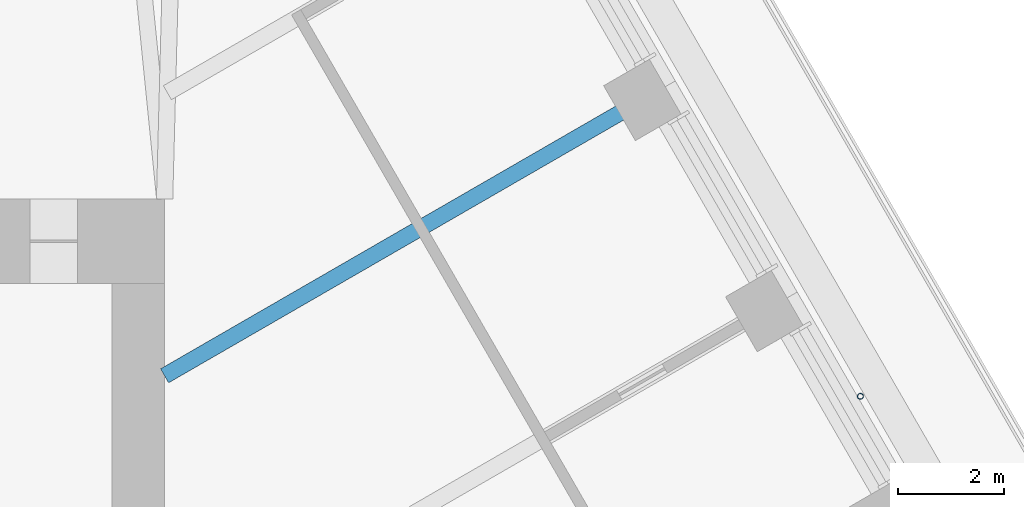
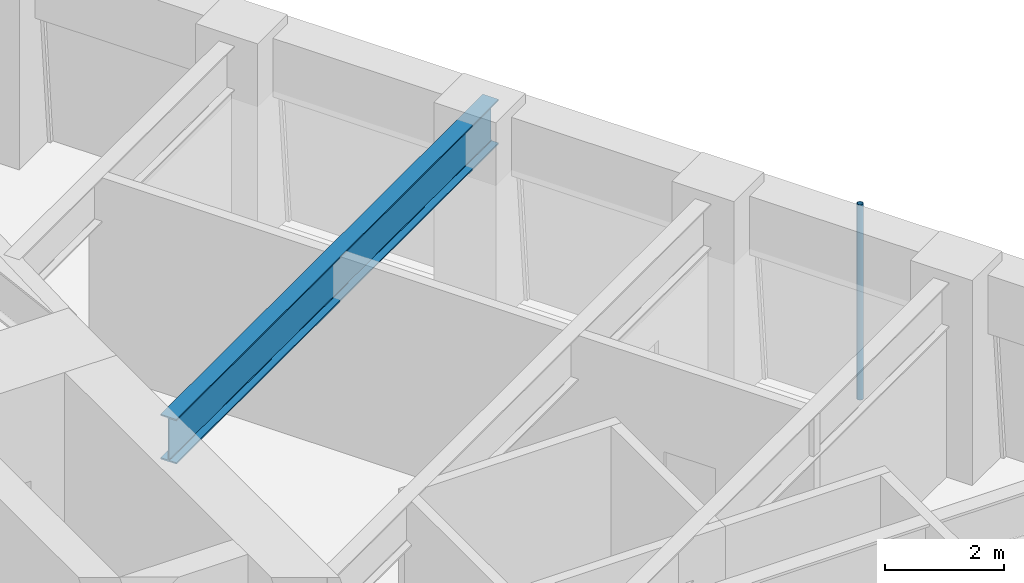
# One storey, part 10 of 20: 1 beam, 1 member.
"""IFC4 building model written with IfcOpenShell, lengths in metres."""

from ifc_helpers import new_model, si_unit, direction, frame, origin, origin_2d, place, context, subcontext, project, spatial, hollow_circle, i_section, extrude, material, material_profile, profile_set, type_object, element, save


model = new_model("IFC4")

# Units and contexts
model_context = context("Model", 3, precision=1e-05, world=origin(), true_north=direction((0.0, 1.0)))
body_context = subcontext(model_context, "Body", "Model", "MODEL_VIEW")
ifc_project = project(units=[si_unit("LENGTHUNIT", "METRE"), si_unit("AREAUNIT", "SQUARE_METRE"), si_unit("VOLUMEUNIT", "CUBIC_METRE"), si_unit("PLANEANGLEUNIT", "RADIAN"), si_unit("MASSUNIT", "GRAM", prefix="KILO")], contexts=[model_context])

# Site, building, storey
site_placement = place(None, origin())
site = spatial("IfcSite", under=ifc_project, at=site_placement, CompositionType="ELEMENT")
building_placement = place(site_placement, origin())
building = spatial("IfcBuilding", under=site, at=building_placement, Name="Tarfa Lantern Tower", CompositionType="ELEMENT")
storey_placement = place(building_placement, frame((0.0, 0.0, 265.89990234375)))
storey = spatial("IfcBuildingStorey", under=building, at=storey_placement, Name="L60", CompositionType="ELEMENT", Elevation=265.89990234375)

# Member
ifc_material_1 = material(Name="Steel S355", Category="steel")
ifc_material_profile_1 = material_profile(ifc_material_1, hollow_circle(Radius=0.05712890625, WallThickness=0.00634765625, at=origin_2d()), Name="CHS114.3x6.3")
ifc_profile_set_1 = profile_set([ifc_material_profile_1], Name="Steel S355")
member_type = type_object("IfcMemberType", Name="TR1 GREEN WALL TRELLIS CHS114.3x6.3", PredefinedType="USERDEFINED", material=ifc_profile_set_1)
member_placement = place(storey_placement, frame((28.682861328125, 8.56005859375, 0.0), z_axis=(0.0, 0.0, 1.0), x_axis=(1.0, 0.0, 0.0)))
element("IfcMember", 1, at=member_placement, inside=storey, type_object=member_type, Name="Trellis post NE 1", ObjectType="TRELLIS", PredefinedType="USERDEFINED", context=body_context, shape_type="SweptSolid", body=[
    extrude(hollow_circle(Radius=0.05712890625, WallThickness=0.00634765625, at=origin_2d()), origin(), (0.0, 0.0, 1.0), 4.0),
])

# Beam
ifc_material_2 = material(Name="Steel S460M", Category="steel")
ifc_material_profile_2 = material_profile(ifc_material_2, i_section(OverallWidth=0.305419921875, OverallDepth=0.91845703125, WebThickness=0.017333984375, FlangeThickness=0.02783203125, FilletRadius=0.01904296875, at=origin_2d()), Name="UB914x305x253")
ifc_profile_set_2 = profile_set([ifc_material_profile_2], Name="Steel S460M")
beam_type = type_object("IfcBeamType", Name="UB914x305x253", PredefinedType="BEAM", material=ifc_profile_set_2)
beam_placement = place(storey_placement, frame((24.872314453125, 14.360107421875, 3.541015625), z_axis=(-0.8660244219, -0.500001700669, 0.0), x_axis=(0.500001700669, -0.8660244219, 0.0)))
element("IfcBeam", 2, at=beam_placement, inside=storey, type_object=beam_type, Name="Floor beam NE3", PredefinedType="BEAM", context=body_context, shape_type="SweptSolid", body=[
    extrude(i_section(OverallWidth=0.305419921875, OverallDepth=0.91845703125, WebThickness=0.017333984375, FlangeThickness=0.02783203125, FilletRadius=0.01904296875, at=origin_2d()), origin(), (0.0, 0.0, 1.0), 10.822265625),
])

save(model, "model.ifc")
